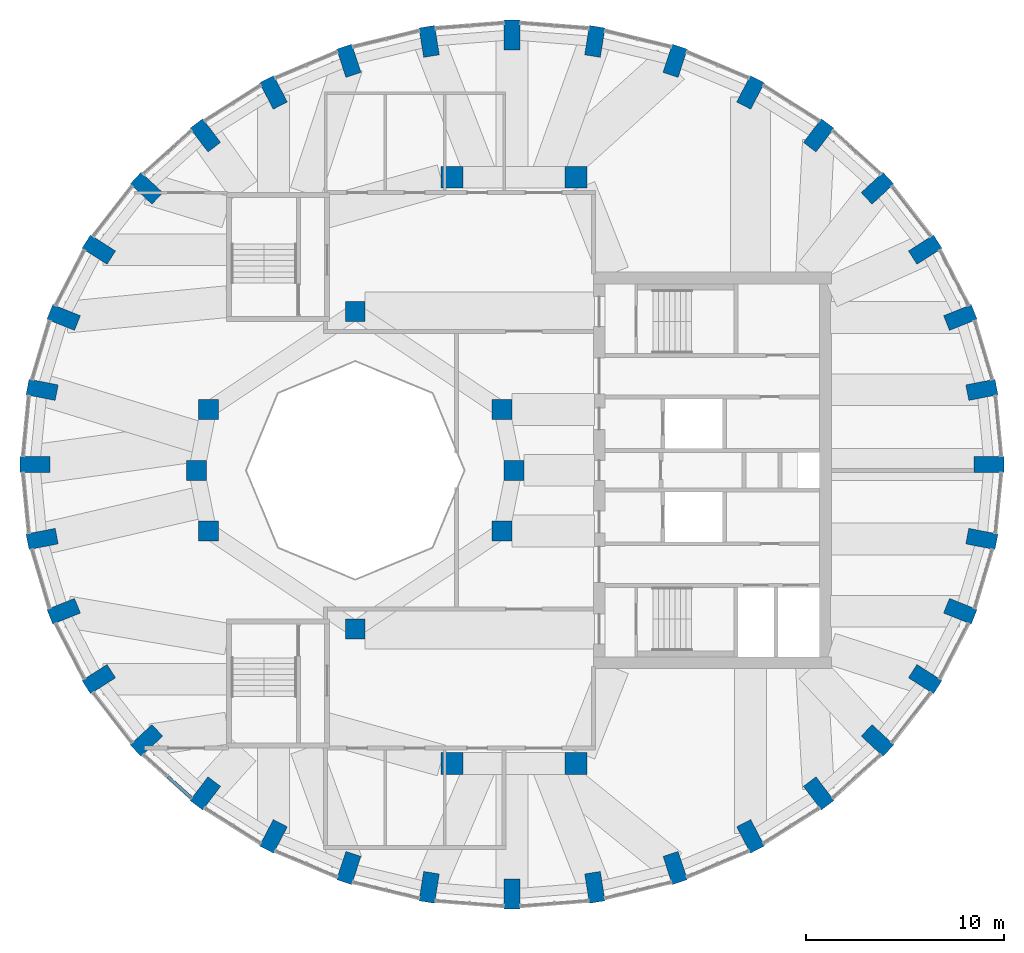
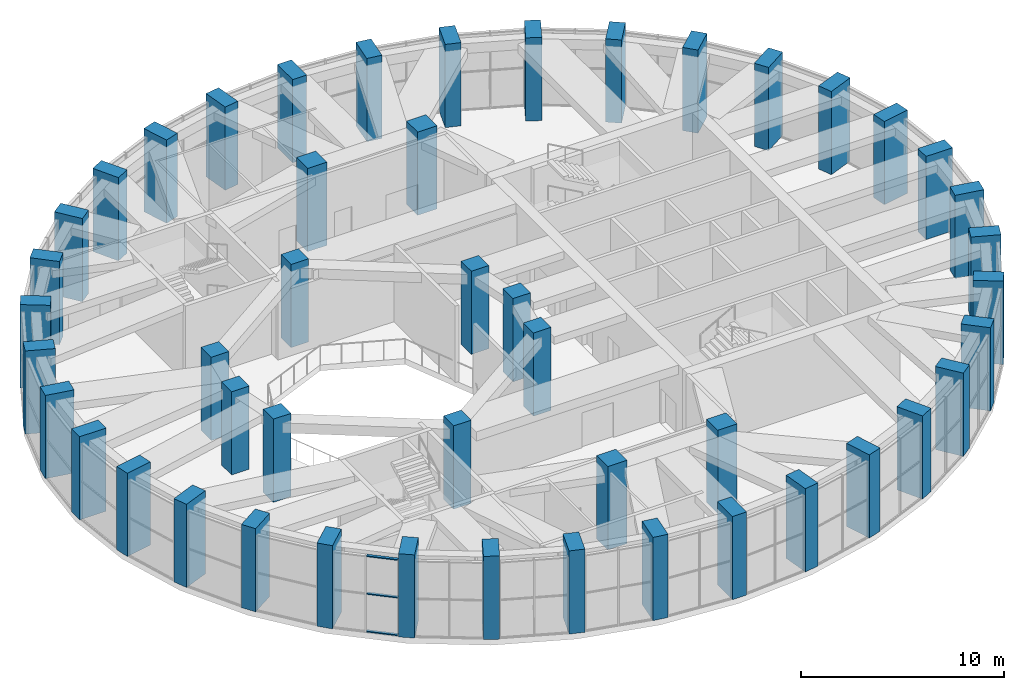
# One storey, part 1 of 16: 48 columns, 3 members, 1 element without a shape of its own.
"""IFC4 building model written with IfcOpenShell, lengths in metres."""

from ifc_helpers import new_model, si_unit, direction, frame, origin, origin_2d, place, context, subcontext, project, spatial, rectangle, extrude, material, material_profile, profile_set, type_object, element, aggregate, save


model = new_model("IFC4")

# Units and contexts
model_context = context("Model", 3, precision=1e-05, world=origin(), true_north=direction((0.0, 1.0)))
body_context = subcontext(model_context, "Body", "Model", "MODEL_VIEW")
ifc_project = project(units=[si_unit("LENGTHUNIT", "METRE"), si_unit("AREAUNIT", "SQUARE_METRE"), si_unit("VOLUMEUNIT", "CUBIC_METRE"), si_unit("PLANEANGLEUNIT", "RADIAN"), si_unit("MASSUNIT", "GRAM", prefix="KILO")], contexts=[model_context])

# Site, building, storey
site_placement = place(None, origin())
site = spatial("IfcSite", under=ifc_project, at=site_placement, CompositionType="ELEMENT")
building_placement = place(site_placement, origin())
building = spatial("IfcBuilding", under=site, at=building_placement, Name="Taillehof Tower", CompositionType="ELEMENT")
storey_placement = place(building_placement, frame((0.0, 0.0, 264.199951171875)))
storey = spatial("IfcBuildingStorey", under=building, at=storey_placement, Name="L75", CompositionType="ELEMENT", Elevation=264.199951171875)

# Columns
ifc_material_1 = material(Name="Concrete C50/60", Category="concrete")
ifc_material_profile_1 = material_profile(ifc_material_1, rectangle(XDim=1.0, YDim=1.0, at=origin_2d()), Name="RC 1000x1000")
ifc_profile_set_1 = profile_set([ifc_material_profile_1], Name="Concrete C50/60")
column_type_1 = type_object("IfcColumnType", Name="Atrium ring column C50/60 1000x1000", PredefinedType="COLUMN", material=ifc_profile_set_1)
for number, where, z_axis, x_axis, name in (
    (1, (0.0, 0.0, 0.0), (0.0, 0.0, 1.0), (1.0, 0.0, 0.0), "Column AC01"),
    (2, (-0.60888671875, 3.0615234375, 0.0), (0.0, 0.0, 1.0), (1.0, 0.0, 0.0), "Column AC02"),
    (3, (-8.0, 8.0, 0.0), (0.0, 0.0, 1.0), (1.0, 0.0, 0.0), "Column AC05"),
    (4, (-15.39111328125, 3.0615234375, 0.0), (0.0, 0.0, 1.0), (1.0, 0.0, 0.0), "Column AC08"),
    (5, (-16.0, 0.0, 0.0), (0.0, 0.0, 1.0), (1.0, 0.0, 0.0), "Column AC09"),
    (6, (-15.39111328125, -3.0615234375, 0.0), (0.0, 0.0, 1.0), (1.0, 0.0, 0.0), "Column AC10"),
    (7, (-8.0, -8.0, 0.0), (0.0, 0.0, 1.0), (1.0, 0.0, 0.0), "Column AC13"),
    (8, (-0.60888671875, -3.0615234375, 0.0), (0.0, 0.0, 1.0), (1.0, 0.0, 0.0), "Column AC16"),
):
    element("IfcColumn", number, at=place(storey_placement, frame(where, z_axis=z_axis, x_axis=x_axis)), inside=storey, type_object=column_type_1, Name=name, PredefinedType="COLUMN", context=body_context, shape_type="SweptSolid", body=[
        extrude(rectangle(XDim=1.0, YDim=1.0, at=origin_2d()), origin(), (0.0, 0.0, 1.0), 5.0),
    ])
ifc_material_2 = material(Name="Concrete C50/60", Category="concrete")
ifc_material_profile_2 = material_profile(ifc_material_2, rectangle(XDim=1.10009765625, YDim=1.10009765625, at=origin_2d()), Name="RC 1100x1100")
ifc_profile_set_2 = profile_set([ifc_material_profile_2], Name="Concrete C50/60")
column_type_2 = type_object("IfcColumnType", Name="Mid-ring column C50/60 1100x1100", PredefinedType="COLUMN", material=ifc_profile_set_2)
for number, where, z_axis, x_axis, name in (
    (9, (3.125732421875, 14.772216796875, 0.0), (0.0, 0.0, 1.0), (1.0, 0.0, 0.0), "Column MC05"),
    (10, (-3.125732421875, 14.772216796875, 0.0), (0.0, 0.0, 1.0), (1.0, 0.0, 0.0), "Column MC06"),
    (11, (-3.125732421875, -14.772216796875, 0.0), (0.0, 0.0, 1.0), (1.0, 0.0, 0.0), "Column MC14"),
    (12, (3.125732421875, -14.772216796875, 0.0), (0.0, 0.0, 1.0), (1.0, 0.0, 0.0), "Column MC15"),
):
    element("IfcColumn", number, at=place(storey_placement, frame(where, z_axis=z_axis, x_axis=x_axis)), inside=storey, type_object=column_type_2, Name=name, PredefinedType="COLUMN", context=body_context, shape_type="SweptSolid", body=[
        extrude(rectangle(XDim=1.10009765625, YDim=1.10009765625, at=origin_2d()), origin(), (0.0, 0.0, 1.0), 5.0),
    ])
ifc_material_3 = material(Name="Concrete C50/60", Category="concrete")
ifc_material_profile_3 = material_profile(ifc_material_3, rectangle(XDim=1.5, YDim=0.800048828125, at=origin_2d()), Name="RC 1500x800")
ifc_profile_set_3 = profile_set([ifc_material_profile_3], Name="Concrete C50/60")
column_type_3 = type_object("IfcColumnType", Name="Ring column C50/60 1500x800", PredefinedType="COLUMN", material=ifc_profile_set_3)
for number, where, z_axis, x_axis, name in (
    (13, (23.949951171875, 0.300048828125, 0.0), (0.0, 0.0, 1.0), (1.0, 0.0, 0.0), "Ring column RC01"),
    (14, (23.584716796875, 4.0595703125, 0.0), (0.0, 0.0, 1.0), (0.981472639166, 0.191602344891, 0.0), "Ring column RC02"),
    (15, (22.49951171875, 7.704833984375, 0.0), (0.0, 0.0, 1.0), (0.927524694272, 0.373761878092, 0.0), "Ring column RC03"),
    (16, (20.72802734375, 11.125, 0.0), (0.0, 0.0, 1.0), (0.842573772535, 0.538580948267, 0.0), "Ring column RC04"),
    (17, (18.323486328125, 14.21630859375, 0.0), (0.0, 0.0, 1.0), (0.73263579998, 0.680620881686, 0.0), "Ring column RC05"),
    (18, (15.359130859375, 16.884765625, 0.0), (0.0, 0.0, 1.0), (0.604020073066, 0.796969103123, 0.0), "Ring column RC06"),
    (19, (11.925048828125, 19.049560546875, 0.0), (0.0, 0.0, 1.0), (0.462383690865, 0.886679943622, 0.0), "Ring column RC07"),
    (20, (8.12548828125, 20.644287109375, 0.0), (0.0, 0.0, 1.0), (0.312304079287, 0.949982190391, 0.0), "Ring column RC08"),
    (21, (4.076171875, 21.62109375, 0.0), (0.0, 0.0, 1.0), (0.1572808136, 0.987553920388, 0.0), "Ring column RC09"),
    (22, (-0.10009765625, 21.949951171875, 0.0), (0.0, 0.0, 1.0), (0.0, 1.0, 0.0), "Ring column RC10"),
    (23, (-4.276123046875, 21.62109375, 0.0), (0.0, 0.0, 1.0), (-0.1572808136, 0.987553920388, 0.0), "Ring column RC11"),
    (24, (-8.32568359375, 20.644287109375, 0.0), (0.0, 0.0, 1.0), (-0.312304079287, 0.949982190391, 0.0), "Ring column RC12"),
    (25, (-12.125, 19.049560546875, 0.0), (0.0, 0.0, 1.0), (-0.462383690865, 0.886679943622, 0.0), "Ring column RC13"),
    (26, (-15.55908203125, 16.884765625, 0.0), (0.0, 0.0, 1.0), (-0.604020073066, 0.796969103123, 0.0), "Ring column RC14"),
    (27, (-18.5234375, 14.21630859375, 0.0), (0.0, 0.0, 1.0), (-0.73263579998, 0.680620881686, 0.0), "Ring column RC15"),
    (28, (-20.927978515625, 11.125, 0.0), (0.0, 0.0, 1.0), (-0.842573772535, 0.538580948267, 0.0), "Ring column RC16"),
    (29, (-22.69970703125, 7.704833984375, 0.0), (0.0, 0.0, 1.0), (-0.927524694272, 0.373761878092, 0.0), "Ring column RC17"),
    (30, (-23.78466796875, 4.0595703125, 0.0), (0.0, 0.0, 1.0), (-0.981472639166, 0.191602344891, 0.0), "Ring column RC18"),
    (31, (-24.14990234375, 0.300048828125, 0.0), (0.0, 0.0, 1.0), (-1.0, 0.0, 0.0), "Ring column RC19"),
    (32, (-23.78466796875, -3.45947265625, 0.0), (0.0, 0.0, 1.0), (-0.981472639166, -0.191602344891, 0.0), "Ring column RC20"),
    (33, (-22.69970703125, -7.104736328125, 0.0), (0.0, 0.0, 1.0), (-0.927524694272, -0.373761878092, 0.0), "Ring column RC21"),
    (34, (-20.927978515625, -10.52490234375, 0.0), (0.0, 0.0, 1.0), (-0.842573772535, -0.538580948267, 0.0), "Ring column RC22"),
    (35, (-18.5234375, -13.616455078125, 0.0), (0.0, 0.0, 1.0), (-0.73263579998, -0.680620881686, 0.0), "Ring column RC23"),
    (36, (-15.55908203125, -16.284912109375, 0.0), (0.0, 0.0, 1.0), (-0.604020073066, -0.796969103123, 0.0), "Ring column RC24"),
    (37, (-12.125, -18.449462890625, 0.0), (0.0, 0.0, 1.0), (-0.462383690865, -0.886679943622, 0.0), "Ring column RC25"),
    (38, (-8.32568359375, -20.04443359375, 0.0), (0.0, 0.0, 1.0), (-0.312304079287, -0.949982190391, 0.0), "Ring column RC26"),
    (39, (-4.276123046875, -21.02099609375, 0.0), (0.0, 0.0, 1.0), (-0.1572808136, -0.987553920388, 0.0), "Ring column RC27"),
    (40, (-0.10009765625, -21.35009765625, 0.0), (0.0, 0.0, 1.0), (0.0, -1.0, 0.0), "Ring column RC28"),
    (41, (4.076171875, -21.02099609375, 0.0), (0.0, 0.0, 1.0), (0.1572808136, -0.987553920388, 0.0), "Ring column RC29"),
    (42, (8.12548828125, -20.04443359375, 0.0), (0.0, 0.0, 1.0), (0.312304079287, -0.949982190391, 0.0), "Ring column RC30"),
    (43, (11.925048828125, -18.449462890625, 0.0), (0.0, 0.0, 1.0), (0.462383690865, -0.886679943622, 0.0), "Ring column RC31"),
    (44, (15.359130859375, -16.284912109375, 0.0), (0.0, 0.0, 1.0), (0.604020073066, -0.796969103123, 0.0), "Ring column RC32"),
    (45, (18.323486328125, -13.616455078125, 0.0), (0.0, 0.0, 1.0), (0.73263579998, -0.680620881686, 0.0), "Ring column RC33"),
    (46, (20.72802734375, -10.52490234375, 0.0), (0.0, 0.0, 1.0), (0.842573772535, -0.538580948267, 0.0), "Ring column RC34"),
    (47, (22.49951171875, -7.104736328125, 0.0), (0.0, 0.0, 1.0), (0.927524694272, -0.373761878092, 0.0), "Ring column RC35"),
    (48, (23.584716796875, -3.45947265625, 0.0), (0.0, 0.0, 1.0), (0.981472639166, -0.191602344891, 0.0), "Ring column RC36"),
):
    element("IfcColumn", number, at=place(storey_placement, frame(where, z_axis=z_axis, x_axis=x_axis)), inside=storey, type_object=column_type_3, Name=name, PredefinedType="COLUMN", context=body_context, shape_type="SweptSolid", body=[
        extrude(rectangle(XDim=1.5, YDim=0.800048828125, at=origin_2d()), origin(), (0.0, 0.0, 1.0), 5.0),
    ])

# Curtain wall, members
ifc_material_4 = material(Name="Aluminium curtain wall with Clear laminated safety glass", Category="aluminium")
curtain_wall_type = type_object("IfcCurtainWallType", Name="Sky restaurant curtain wall", PredefinedType="USERDEFINED", material=ifc_material_4)
curtain_wall_placement = place(storey_placement, origin())
curtain_wall = element("IfcCurtainWall", 49, at=curtain_wall_placement, inside=storey, type_object=curtain_wall_type, Name="Sky restaurant L75 bay 23", ObjectType="WINDOW WALL", PredefinedType="USERDEFINED")
ifc_material_5 = material(Name="Aluminium transom", Category="aluminium")
ifc_material_profile_4 = material_profile(ifc_material_5, rectangle(XDim=0.159912109375, YDim=0.06005859375, at=origin_2d()), Name="AL 160x60")
ifc_profile_set_4 = profile_set([ifc_material_profile_4], Name="Aluminium transom")
member_type = type_object("IfcMemberType", Name="Sky restaurant transom 160x60", PredefinedType="USERDEFINED", material=ifc_profile_set_4)
member_1_placement = place(storey_placement, frame((-17.4462890625, -15.443359375, 0.030029296875), z_axis=(0.743186443795, -0.669084381643, 0.0), x_axis=(0.669084381643, 0.743186443795, 0.0)))
member_1 = element("IfcMember", 50, at=member_1_placement, type_object=member_type, Name="CT5E23 transom 2.1", ObjectType="TRANSOM", PredefinedType="USERDEFINED", context=body_context, shape_type="SweptSolid", body=[
    extrude(rectangle(XDim=0.159912109375, YDim=0.06005859375, at=origin_2d()), origin(), (0.0, 0.0, 1.0), 1.578125),
])
member_2_placement = place(storey_placement, frame((-17.4462890625, -15.443359375, 2.295166015625), z_axis=(0.743186443795, -0.669084381643, 0.0), x_axis=(0.669084381643, 0.743186443795, 0.0)))
member_2 = element("IfcMember", 51, at=member_2_placement, type_object=member_type, Name="CT5E23 transom 2.2", ObjectType="TRANSOM", PredefinedType="USERDEFINED", context=body_context, shape_type="SweptSolid", body=[
    extrude(rectangle(XDim=0.159912109375, YDim=0.06005859375, at=origin_2d()), origin(), (0.0, 0.0, 1.0), 1.578125),
])
member_3_placement = place(storey_placement, frame((-17.4462890625, -15.443359375, 4.56005859375), z_axis=(0.743186443795, -0.669084381643, 0.0), x_axis=(0.669084381643, 0.743186443795, 0.0)))
member_3 = element("IfcMember", 52, at=member_3_placement, type_object=member_type, Name="CT5E23 transom 2.3", ObjectType="TRANSOM", PredefinedType="USERDEFINED", context=body_context, shape_type="SweptSolid", body=[
    extrude(rectangle(XDim=0.159912109375, YDim=0.06005859375, at=origin_2d()), origin(), (0.0, 0.0, 1.0), 1.578125),
])
aggregate(curtain_wall, [member_1, member_2, member_3])

save(model, "model.ifc")
